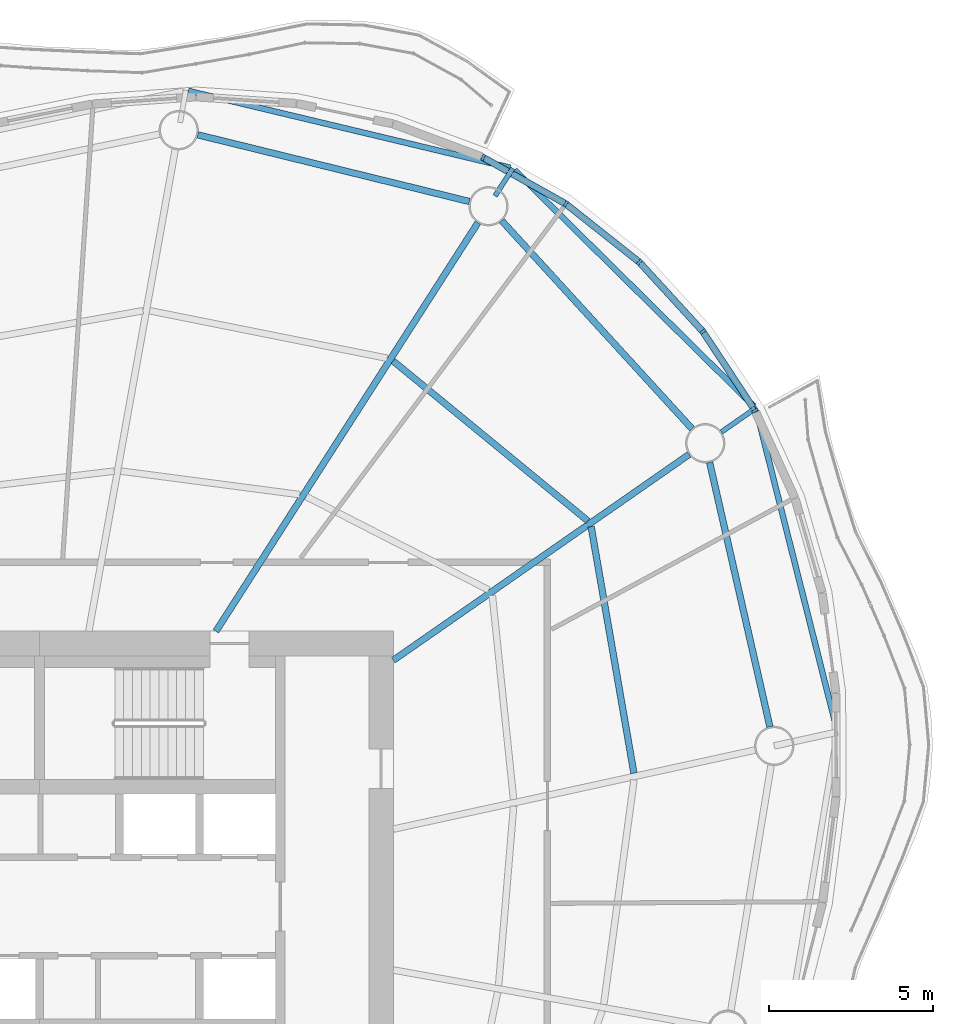
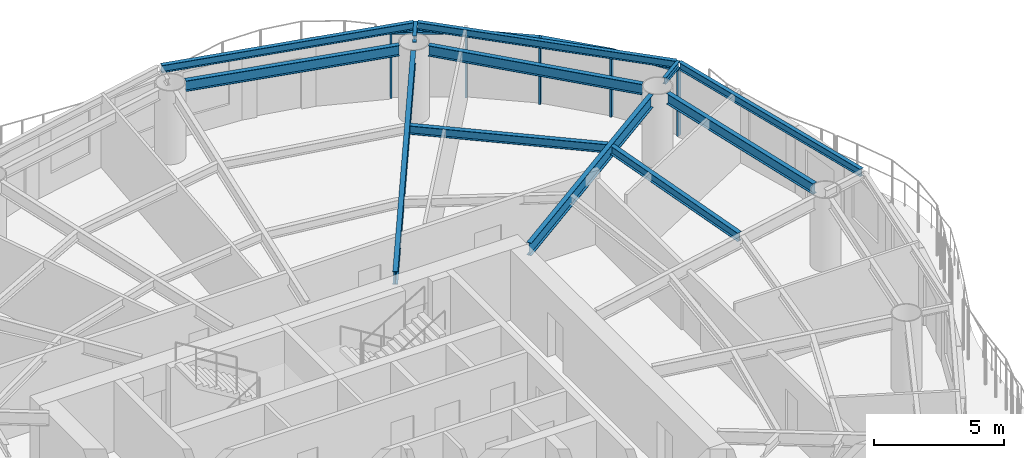
# One storey, part 6 of 15: 12 beams, 9 members, 4 elements without a shape of their own.
"""IFC4 building model written with IfcOpenShell, lengths in metres."""

from ifc_helpers import new_model, si_unit, direction, frame, origin, origin_2d, place, context, subcontext, project, spatial, rectangle, i_section, extrude, material, material_profile, profile_set, type_object, element, aggregate, save


model = new_model("IFC4")

# Units and contexts
model_context = context("Model", 3, precision=1e-05, world=origin(), true_north=direction((0.0, 1.0)))
body_context = subcontext(model_context, "Body", "Model", "MODEL_VIEW")
ifc_project = project(units=[si_unit("LENGTHUNIT", "METRE"), si_unit("AREAUNIT", "SQUARE_METRE"), si_unit("VOLUMEUNIT", "CUBIC_METRE"), si_unit("PLANEANGLEUNIT", "RADIAN"), si_unit("MASSUNIT", "GRAM", prefix="KILO")], contexts=[model_context])

# Site, building, storey
site_placement = place(None, origin())
site = spatial("IfcSite", under=ifc_project, at=site_placement, CompositionType="ELEMENT")
building_placement = place(site_placement, origin())
building = spatial("IfcBuilding", under=site, at=building_placement, Name="Vermilion Reach Broadcast Tower", CompositionType="ELEMENT")
storey_placement = place(building_placement, frame((0.0, 0.0, 220.89990234375)))
storey = spatial("IfcBuildingStorey", under=building, at=storey_placement, Name="L54", CompositionType="ELEMENT", Elevation=220.89990234375)

# Beams
ifc_material_1 = material(Name="Steel S355J2", Category="steel")
ifc_material_profile_1 = material_profile(ifc_material_1, i_section(OverallWidth=0.175048828125, OverallDepth=0.35009765625, WebThickness=0.007080078125, FlangeThickness=0.010986328125, at=origin_2d()), Name="S355J2 HN 350x175x7x11")
ifc_profile_set_1 = profile_set([ifc_material_profile_1], Name="Steel S355J2")
beam_type_1 = type_object("IfcBeamType", Name="EB4 HN 350x175x7x11", PredefinedType="BEAM", material=ifc_profile_set_1)
beam_1_placement = place(storey_placement, frame((8.367919921875, 22.544921875, 3.275146484375), z_axis=(-0.9726717393, 0.232184598042, 0.0), x_axis=(-0.232184598042, -0.9726717393, 0.0)))
element("IfcBeam", 1, at=beam_1_placement, inside=storey, type_object=beam_type_1, Name="Edge beam EB4-01", PredefinedType="BEAM", context=body_context, shape_type="SweptSolid", body=[
    extrude(i_section(OverallWidth=0.175048828125, OverallDepth=0.35009765625, WebThickness=0.007080078125, FlangeThickness=0.010986328125, at=origin_2d()), origin(), (0.0, 0.0, 1.0), 10.102783203125),
])
beam_2_placement = place(storey_placement, frame((18.3291015625, 5.42041015625, 3.275146484375), z_axis=(-0.24495551513, 0.969534318942, 0.0), x_axis=(-0.969534318942, -0.24495551513, 0.0)))
element("IfcBeam", 2, at=beam_2_placement, inside=storey, type_object=beam_type_1, Name="Edge beam EB4-15", PredefinedType="BEAM", context=body_context, shape_type="SweptSolid", body=[
    extrude(i_section(OverallWidth=0.175048828125, OverallDepth=0.35009765625, WebThickness=0.007080078125, FlangeThickness=0.010986328125, at=origin_2d()), origin(), (0.0, 0.0, 1.0), 10.0146484375),
])
beam_3_placement = place(storey_placement, frame((15.80224609375, 15.26123046875, 3.275146484375), z_axis=(-0.711529365897, 0.702656360866, 0.0), x_axis=(-0.702656360866, -0.711529365897, 0.0)))
element("IfcBeam", 3, at=beam_3_placement, inside=storey, type_object=beam_type_1, Name="Edge beam EB4-16", PredefinedType="BEAM", context=body_context, shape_type="SweptSolid", body=[
    extrude(i_section(OverallWidth=0.175048828125, OverallDepth=0.35009765625, WebThickness=0.007080078125, FlangeThickness=0.010986328125, at=origin_2d()), origin(), (0.0, 0.0, 1.0), 10.26318359375),
])
ifc_material_2 = material(Name="Steel S355J2", Category="steel")
ifc_material_profile_2 = material_profile(ifc_material_2, i_section(OverallWidth=0.199951171875, OverallDepth=0.60009765625, WebThickness=0.010986328125, FlangeThickness=0.01708984375, at=origin_2d()), Name="S355J2 HN 600x200x11x17")
ifc_profile_set_2 = profile_set([ifc_material_profile_2], Name="Steel S355J2")
beam_type_2 = type_object("IfcBeamType", Name="G4 HN 600x200x11x17", PredefinedType="BEAM", material=ifc_profile_set_2)
beam_4_placement = place(storey_placement, frame((-0.613525390625, 8.39990234375, 3.150146484375), z_axis=(0.539796447586, 0.84179557802, 0.0), x_axis=(-0.84179557802, 0.539796447586, 0.0)))
element("IfcBeam", 4, at=beam_4_placement, inside=storey, type_object=beam_type_2, Name="Girder G4-01", PredefinedType="BEAM", context=body_context, shape_type="SweptSolid", body=[
    extrude(i_section(OverallWidth=0.199951171875, OverallDepth=0.60009765625, WebThickness=0.010986328125, FlangeThickness=0.01708984375, at=origin_2d()), origin(), (0.0, 0.0, 1.0), 14.8076171875),
])
beam_5_placement = place(storey_placement, frame((4.800048828125, 7.5146484375, 3.150146484375), z_axis=(0.820848627818, 0.571145804684, 0.0), x_axis=(-0.571145804684, 0.820848627818, 0.0)))
element("IfcBeam", 5, at=beam_5_placement, inside=storey, type_object=beam_type_2, Name="Girder G4-16", PredefinedType="BEAM", context=body_context, shape_type="SweptSolid", body=[
    extrude(i_section(OverallWidth=0.199951171875, OverallDepth=0.60009765625, WebThickness=0.010986328125, FlangeThickness=0.01708984375, at=origin_2d()), origin(), (0.0, 0.0, 1.0), 10.99560546875),
])
ifc_material_3 = material(Name="Steel S355J2", Category="steel")
ifc_material_profile_3 = material_profile(ifc_material_3, i_section(OverallWidth=0.14990234375, OverallDepth=0.300048828125, WebThickness=0.006591796875, FlangeThickness=0.009033203125, at=origin_2d()), Name="S355J2 HN 300x150x6.5x9")
ifc_profile_set_3 = profile_set([ifc_material_profile_3], Name="Steel S355J2")
beam_type_3 = type_object("IfcBeamType", Name="GS4 HN 300x150x6.5x9", PredefinedType="BEAM", material=ifc_profile_set_3)
beam_6_placement = place(storey_placement, frame((7.9052734375, 21.684814453125, 3.300048828125), z_axis=(0.539794777091, 0.841796649213, 0.0), x_axis=(-0.841796649213, 0.539794777091, 0.0)))
element("IfcBeam", 6, at=beam_6_placement, inside=storey, type_object=beam_type_3, Name="Cantilever stub GS4-01", PredefinedType="BEAM", context=body_context, shape_type="SweptSolid", body=[
    extrude(i_section(OverallWidth=0.14990234375, OverallDepth=0.300048828125, WebThickness=0.006591796875, FlangeThickness=0.009033203125, at=origin_2d()), origin(), (0.0, 0.0, 1.0), 1.0),
])
beam_7_placement = place(storey_placement, frame((14.810546875, 14.47998046875, 3.300048828125), z_axis=(0.820920824395, 0.571042030042, 0.0), x_axis=(-0.571042030042, 0.820920824395, 0.0)))
element("IfcBeam", 7, at=beam_7_placement, inside=storey, type_object=beam_type_3, Name="Cantilever stub GS4-16", PredefinedType="BEAM", context=body_context, shape_type="SweptSolid", body=[
    extrude(i_section(OverallWidth=0.14990234375, OverallDepth=0.300048828125, WebThickness=0.006591796875, FlangeThickness=0.009033203125, at=origin_2d()), origin(), (0.0, 0.0, 1.0), 1.274169921875),
])
ifc_material_4 = material(Name="Steel S355J2", Category="steel")
ifc_material_profile_4 = material_profile(ifc_material_4, i_section(OverallWidth=0.199951171875, OverallDepth=0.5, WebThickness=0.010009765625, FlangeThickness=0.01611328125, at=origin_2d()), Name="S355J2 HN 500x200x10x16")
ifc_profile_set_4 = profile_set([ifc_material_profile_4], Name="Steel S355J2")
beam_type_4 = type_object("IfcBeamType", Name="RB4 HN 500x200x10x16", PredefinedType="BEAM", material=ifc_profile_set_4)
beam_8_placement = place(storey_placement, frame((7.120849609375, 21.51318359375, 3.2001953125), z_axis=(-0.971158622271, 0.238434331398, 0.0), x_axis=(-0.238434331398, -0.971158622271, 0.0)))
element("IfcBeam", 8, at=beam_8_placement, inside=storey, type_object=beam_type_4, Name="Ring beam RB4-01", PredefinedType="BEAM", context=body_context, shape_type="SweptSolid", body=[
    extrude(i_section(OverallWidth=0.199951171875, OverallDepth=0.5, WebThickness=0.010009765625, FlangeThickness=0.01611328125, at=origin_2d()), origin(), (0.0, 0.0, 1.0), 8.534423828125),
])
beam_9_placement = place(storey_placement, frame((16.290283203125, 5.486572265625, 3.2001953125), z_axis=(-0.222283068275, 0.974982172944, 0.0), x_axis=(-0.974982172944, -0.222283068275, 0.0)))
element("IfcBeam", 9, at=beam_9_placement, inside=storey, type_object=beam_type_4, Name="Ring beam RB4-15", PredefinedType="BEAM", context=body_context, shape_type="SweptSolid", body=[
    extrude(i_section(OverallWidth=0.199951171875, OverallDepth=0.5, WebThickness=0.010009765625, FlangeThickness=0.01611328125, at=origin_2d()), origin(), (0.0, 0.0, 1.0), 8.272705078125),
])
beam_10_placement = place(storey_placement, frame((13.9130859375, 14.580078125, 3.2001953125), z_axis=(-0.674868141417, 0.737938338684, 0.0), x_axis=(-0.737938338684, -0.674868141417, 0.0)))
element("IfcBeam", 10, at=beam_10_placement, inside=storey, type_object=beam_type_4, Name="Ring beam RB4-16", PredefinedType="BEAM", context=body_context, shape_type="SweptSolid", body=[
    extrude(i_section(OverallWidth=0.199951171875, OverallDepth=0.5, WebThickness=0.010009765625, FlangeThickness=0.01611328125, at=origin_2d()), origin(), (0.0, 0.0, 1.0), 8.601318359375),
])
ifc_material_5 = material(Name="Steel S355J2", Category="steel")
ifc_material_profile_5 = material_profile(ifc_material_5, i_section(OverallWidth=0.199951171875, OverallDepth=0.39990234375, WebThickness=0.008056640625, FlangeThickness=0.012939453125, at=origin_2d()), Name="S355J2 HN 400x200x8x13")
ifc_profile_set_5 = profile_set([ifc_material_profile_5], Name="Steel S355J2")
beam_type_5 = type_object("IfcBeamType", Name="SB4 HN 400x200x8x13", PredefinedType="BEAM", material=ifc_profile_set_5)
beam_11_placement = place(storey_placement, frame((12.141357421875, 4.067626953125, 3.25), z_axis=(-0.170926997669, 0.985283695931, 0.0), x_axis=(-0.985283695931, -0.170926997669, 0.0)))
element("IfcBeam", 11, at=beam_11_placement, inside=storey, type_object=beam_type_5, Name="Secondary beam SB4-15-2", PredefinedType="BEAM", context=body_context, shape_type="SweptSolid", body=[
    extrude(i_section(OverallWidth=0.199951171875, OverallDepth=0.39990234375, WebThickness=0.008056640625, FlangeThickness=0.012939453125, at=origin_2d()), origin(), (0.0, 0.0, 1.0), 7.63720703125),
])
beam_12_placement = place(storey_placement, frame((10.73681640625, 11.76708984375, 3.25), z_axis=(-0.772952000494, 0.6344645025, 0.0), x_axis=(-0.6344645025, -0.772952000494, 0.0)))
element("IfcBeam", 12, at=beam_12_placement, inside=storey, type_object=beam_type_5, Name="Secondary beam SB4-16-2", PredefinedType="BEAM", context=body_context, shape_type="SweptSolid", body=[
    extrude(i_section(OverallWidth=0.199951171875, OverallDepth=0.39990234375, WebThickness=0.008056640625, FlangeThickness=0.012939453125, at=origin_2d()), origin(), (0.0, 0.0, 1.0), 7.689697265625),
])

# Curtain wall, member
ifc_material_6 = material(Name="Low-e laminated clear glass in aluminium frame", Category="aluminium")
curtain_wall_type = type_object("IfcCurtainWallType", Name="Slot curtain wall", PredefinedType="NOTDEFINED", material=ifc_material_6)
placement = place(storey_placement, origin())
curtain_wall_1 = element("IfcCurtainWall", 13, at=placement, inside=storey, type_object=curtain_wall_type, Name="Slot curtain wall L54 46", PredefinedType="NOTDEFINED")
ifc_material_7 = material(Name="Anodised aluminium", Category="aluminium")
ifc_material_profile_6 = material_profile(ifc_material_7, rectangle(XDim=0.199951171875, YDim=0.080078125, at=origin_2d()), Name="Slot mullion 80 x 200")
ifc_profile_set_6 = profile_set([ifc_material_profile_6], Name="Anodised aluminium")
member_type_1 = type_object("IfcMemberType", Name="Slot mullion 80 x 200", PredefinedType="MULLION", material=ifc_profile_set_6)
member_1_placement = place(storey_placement, frame((15.835693359375, 15.13134765625, 0.0), z_axis=(0.0, 0.0, 1.0), x_axis=(-0.874902713756, -0.484298710985, 0.0)))
member_1 = element("IfcMember", 14, at=member_1_placement, type_object=member_type_1, Name="Slot mullion L54 46", PredefinedType="MULLION", context=body_context, shape_type="SweptSolid", body=[
    extrude(rectangle(XDim=0.199951171875, YDim=0.080078125, at=origin_2d()), origin(), (0.0, 0.0, 1.0), 3.10009765625),
])

curtain_wall_2 = element("IfcCurtainWall", 15, at=placement, inside=storey, type_object=curtain_wall_type, Name="Slot curtain wall L54 47", PredefinedType="NOTDEFINED")
member_2_placement = place(storey_placement, frame((14.244140625, 17.5458984375, 0.0), z_axis=(0.0, 0.0, 1.0), x_axis=(-0.788750463351, -0.614713515845, 0.0)))
member_2 = element("IfcMember", 16, at=member_2_placement, type_object=member_type_1, Name="Slot mullion L54 47", PredefinedType="MULLION", context=body_context, shape_type="SweptSolid", body=[
    extrude(rectangle(XDim=0.199951171875, YDim=0.080078125, at=origin_2d()), origin(), (0.0, 0.0, 1.0), 3.10009765625),
])

curtain_wall_3 = element("IfcCurtainWall", 17, at=placement, inside=storey, type_object=curtain_wall_type, Name="Slot curtain wall L54 00", PredefinedType="NOTDEFINED")
member_3_placement = place(storey_placement, frame((12.308349609375, 19.66064453125, 0.0), z_axis=(0.0, 0.0, 1.0), x_axis=(-0.681487486033, -0.731829765984, 0.0)))
member_3 = element("IfcMember", 18, at=member_3_placement, type_object=member_type_1, Name="Slot mullion L54 00", PredefinedType="MULLION", context=body_context, shape_type="SweptSolid", body=[
    extrude(rectangle(XDim=0.199951171875, YDim=0.080078125, at=origin_2d()), origin(), (0.0, 0.0, 1.0), 3.10009765625),
])

# Curtain wall, members
curtain_wall_4 = element("IfcCurtainWall", 19, at=placement, inside=storey, type_object=curtain_wall_type, Name="Slot curtain wall L54 01", PredefinedType="NOTDEFINED")
member_4_placement = place(storey_placement, frame((10.06103515625, 21.441162109375, 0.0), z_axis=(0.0, 0.0, 1.0), x_axis=(-0.55703667231, -0.83048789618, 0.0)))
member_4 = element("IfcMember", 20, at=member_4_placement, type_object=member_type_1, Name="Slot mullion L54 01", PredefinedType="MULLION", context=body_context, shape_type="SweptSolid", body=[
    extrude(rectangle(XDim=0.199951171875, YDim=0.080078125, at=origin_2d()), origin(), (0.0, 0.0, 1.0), 3.10009765625),
])
member_5_placement = place(storey_placement, frame((7.53955078125, 22.85693359375, 0.0), z_axis=(0.0, 0.0, 1.0), x_axis=(-0.420822794882, -0.907142863781, 0.0)))
member_5 = element("IfcMember", 21, at=member_5_placement, type_object=member_type_1, Name="Slot mullion L54 02", PredefinedType="MULLION", context=body_context, shape_type="SweptSolid", body=[
    extrude(rectangle(XDim=0.199951171875, YDim=0.080078125, at=origin_2d()), origin(), (0.0, 0.0, 1.0), 3.10009765625),
])

# Member
ifc_material_8 = material(Name="Anodised aluminium", Category="aluminium")
ifc_material_profile_7 = material_profile(ifc_material_8, rectangle(XDim=0.199951171875, YDim=0.10009765625, at=origin_2d()), Name="Slot transom 200 x 100")
ifc_profile_set_7 = profile_set([ifc_material_profile_7], Name="Anodised aluminium")
member_type_2 = type_object("IfcMemberType", Name="Slot transom 200 x 100", PredefinedType="USERDEFINED", material=ifc_profile_set_7)
member_6_placement = place(storey_placement, frame((15.813720703125, 15.164794921875, 3.050048828125), z_axis=(-0.550384896319, 0.83491105269, 0.0), x_axis=(-0.83491105269, -0.550384896319, 0.0)))
member_6 = element("IfcMember", 22, at=member_6_placement, type_object=member_type_2, Name="Slot transom L54 46.1", ObjectType="TRANSOM", PredefinedType="USERDEFINED", context=body_context, shape_type="SweptSolid", body=[
    extrude(rectangle(XDim=0.199951171875, YDim=0.10009765625, at=origin_2d()), origin(), (0.0, 0.0, 1.0), 2.811767578125),
])

aggregate(curtain_wall_1, [member_1, member_6])

member_7_placement = place(storey_placement, frame((14.217041015625, 17.5751953125, 3.050048828125), z_axis=(-0.675145333047, 0.737684742465, 0.0), x_axis=(-0.737684742465, -0.675145333047, 0.0)))
member_7 = element("IfcMember", 23, at=member_7_placement, type_object=member_type_2, Name="Slot transom L54 47.1", ObjectType="TRANSOM", PredefinedType="USERDEFINED", context=body_context, shape_type="SweptSolid", body=[
    extrude(rectangle(XDim=0.199951171875, YDim=0.10009765625, at=origin_2d()), origin(), (0.0, 0.0, 1.0), 2.787353515625),
])

aggregate(curtain_wall_2, [member_2, member_7])

member_8_placement = place(storey_placement, frame((12.27685546875, 19.685546875, 3.050048828125), z_axis=(-0.783825518404, 0.62098112427, 0.0), x_axis=(-0.62098112427, -0.783825518404, 0.0)))
member_8 = element("IfcMember", 24, at=member_8_placement, type_object=member_type_2, Name="Slot transom L54 00.1", ObjectType="TRANSOM", PredefinedType="USERDEFINED", context=body_context, shape_type="SweptSolid", body=[
    extrude(rectangle(XDim=0.199951171875, YDim=0.10009765625, at=origin_2d()), origin(), (0.0, 0.0, 1.0), 2.787109375),
])

aggregate(curtain_wall_3, [member_3, member_8])

member_9_placement = place(storey_placement, frame((10.026123046875, 21.460693359375, 3.050048828125), z_axis=(-0.871932410914, 0.489626256238, 0.0), x_axis=(-0.489626256238, -0.871932410914, 0.0)))
member_9 = element("IfcMember", 25, at=member_9_placement, type_object=member_type_2, Name="Slot transom L54 01.1", ObjectType="TRANSOM", PredefinedType="USERDEFINED", context=body_context, shape_type="SweptSolid", body=[
    extrude(rectangle(XDim=0.199951171875, YDim=0.10009765625, at=origin_2d()), origin(), (0.0, 0.0, 1.0), 2.811767578125),
])

aggregate(curtain_wall_4, [member_4, member_5, member_9])

save(model, "model.ifc")
